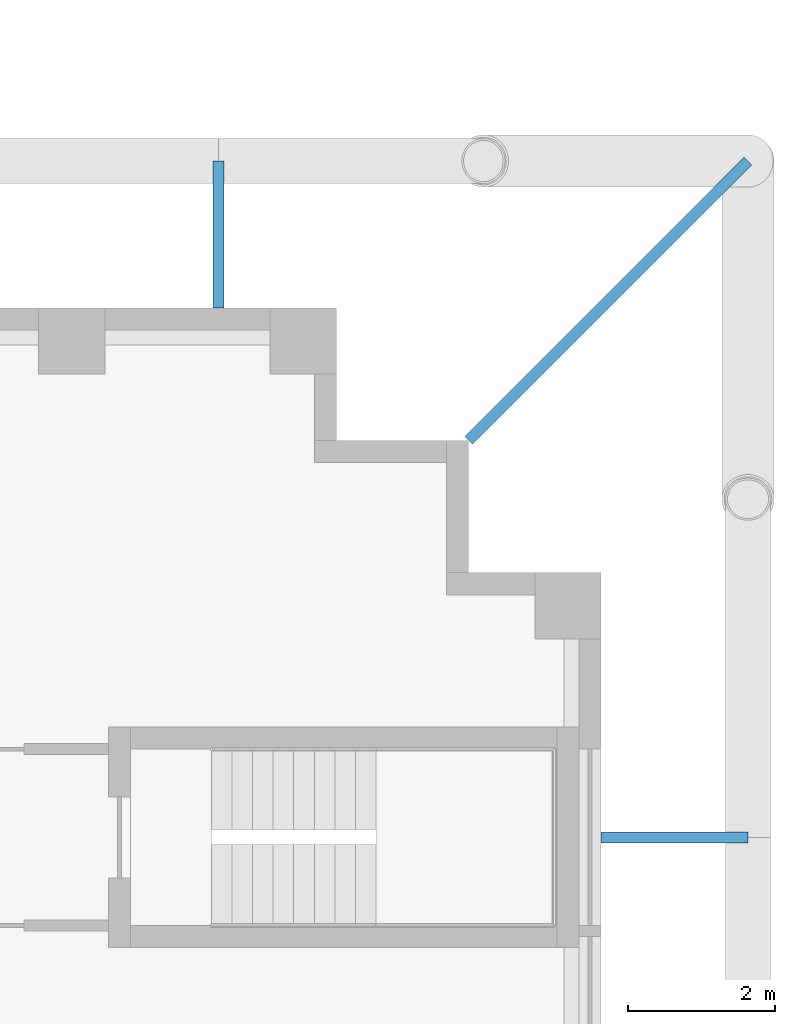
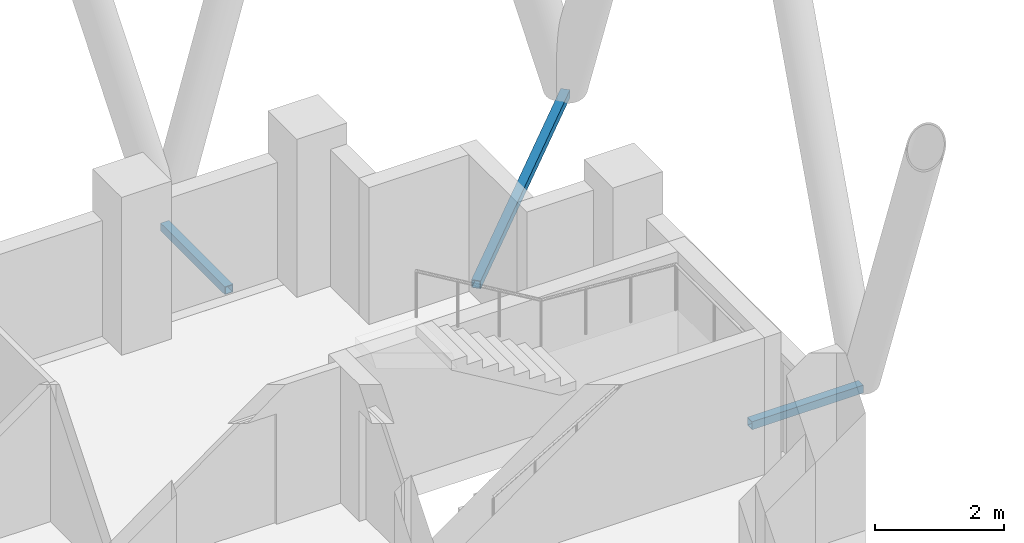
# One storey, part 11 of 13: 3 discrete accessories.
"""IFC4 building model written with IfcOpenShell, lengths in metres."""

from ifc_helpers import new_model, si_unit, direction, frame, origin, origin_2d, place, context, subcontext, project, spatial, hollow_rectangle, extrude, material, element, save


model = new_model("IFC4")

# Units and contexts
model_context = context("Model", 3, precision=1e-05, world=origin(), true_north=direction((0.0, 1.0)))
body_context = subcontext(model_context, "Body", "Model", "MODEL_VIEW")
ifc_project = project(units=[si_unit("LENGTHUNIT", "METRE"), si_unit("AREAUNIT", "SQUARE_METRE"), si_unit("VOLUMEUNIT", "CUBIC_METRE"), si_unit("PLANEANGLEUNIT", "RADIAN"), si_unit("MASSUNIT", "GRAM", prefix="KILO")], contexts=[model_context])

# Site, building, storey
site_placement = place(None, origin())
site = spatial("IfcSite", under=ifc_project, at=site_placement, CompositionType="ELEMENT")
building_placement = place(site_placement, origin())
building = spatial("IfcBuilding", under=site, at=building_placement, Name="Fustian Cross Tower", CompositionType="ELEMENT")
storey_placement = place(building_placement, frame((0.0, 0.0, 153.300048828125)))
storey = spatial("IfcBuildingStorey", under=building, at=storey_placement, Name="L48", CompositionType="ELEMENT", Elevation=153.300048828125)

# Discrete accessories
ifc_material = material(Name="Steel S355", Category="steel")
discrete_accessory_1_placement = place(storey_placement, frame((45.199951171875, 0.0, -0.150146484375), z_axis=(-1.0, 0.0, 0.0), x_axis=(0.0, -1.0, 0.0)))
element("IfcDiscreteAccessory", 1, at=discrete_accessory_1_placement, inside=storey, material=ifc_material, Name="Diagrid node bracket L48-01", PredefinedType="BRACKET", context=body_context, shape_type="SweptSolid", body=[
    extrude(hollow_rectangle(XDim=0.14990234375, YDim=0.14990234375, WallThickness=0.010009765625, at=origin_2d()), origin(), (0.0, 0.0, 1.0), 2.0),
])
discrete_accessory_2_placement = place(storey_placement, frame((45.199951171875, 9.199951171875, -0.150146484375), z_axis=(-0.707106781187, -0.707106781187, 0.0), x_axis=(0.707106781187, -0.707106781187, 0.0)))
element("IfcDiscreteAccessory", 2, at=discrete_accessory_2_placement, inside=storey, material=ifc_material, Name="Diagrid node bracket L48-02", PredefinedType="BRACKET", context=body_context, shape_type="SweptSolid", body=[
    extrude(hollow_rectangle(XDim=0.14990234375, YDim=0.14990234375, WallThickness=0.010009765625, at=origin_2d()), origin(), (0.0, 0.0, 1.0), 5.3740234375),
])
discrete_accessory_3_placement = place(storey_placement, frame((38.0, 9.199951171875, -0.150146484375), z_axis=(0.0, -1.0, 0.0), x_axis=(1.0, 0.0, 0.0)))
element("IfcDiscreteAccessory", 3, at=discrete_accessory_3_placement, inside=storey, material=ifc_material, Name="Diagrid node bracket L48-03", PredefinedType="BRACKET", context=body_context, shape_type="SweptSolid", body=[
    extrude(hollow_rectangle(XDim=0.14990234375, YDim=0.14990234375, WallThickness=0.010009765625, at=origin_2d()), origin(), (0.0, 0.0, 1.0), 2.0),
])

save(model, "model.ifc")
